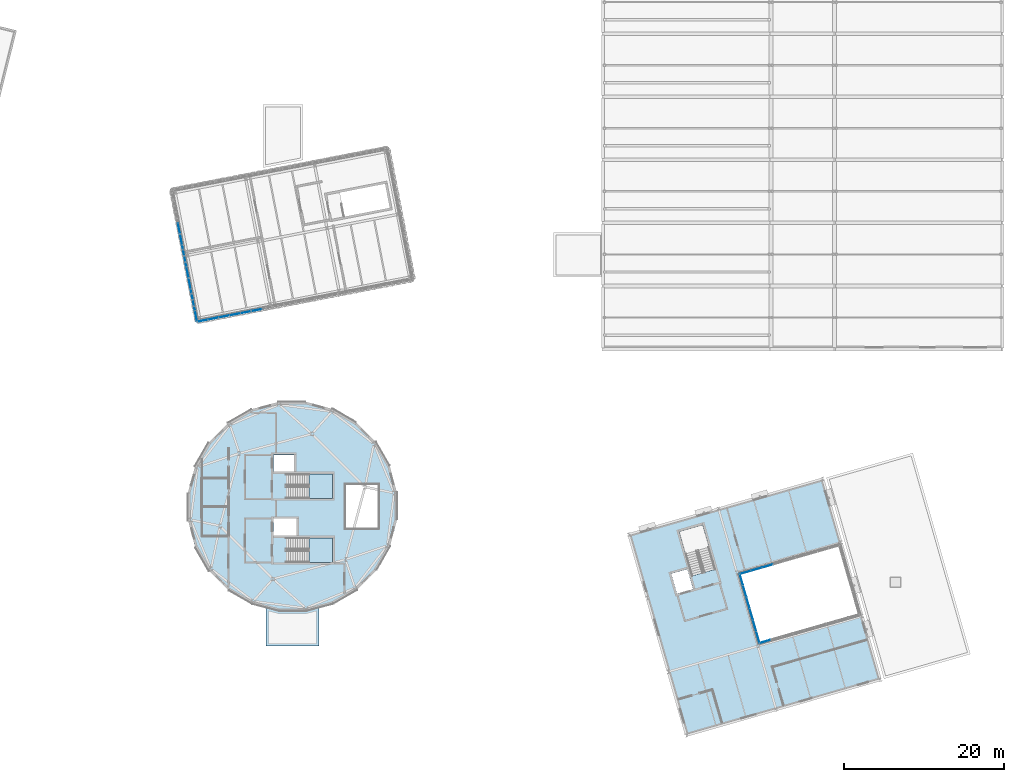
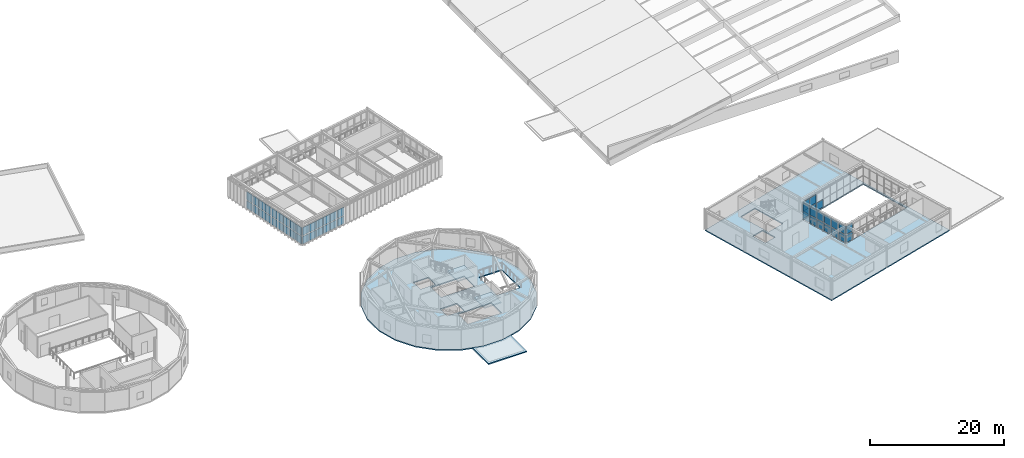
# One storey, part 21 of 44: 49 plates, 5 slabs, 10 elements without a shape of their own.
"""IFC4 building model written with IfcOpenShell, lengths in metres."""

from ifc_helpers import new_model, si_unit, direction, frame, origin, origin_2d, place, context, subcontext, project, spatial, polyline, rectangle, outline, extrude, material, layer, layer_set, type_object, element, aggregate, save


model = new_model("IFC4")

# Units and contexts
model_context = context("Model", 3, precision=1e-05, world=origin(), true_north=direction((0.0, 1.0)))
body_context = subcontext(model_context, "Body", "Model", "MODEL_VIEW")
ifc_project = project(units=[si_unit("LENGTHUNIT", "METRE"), si_unit("AREAUNIT", "SQUARE_METRE"), si_unit("VOLUMEUNIT", "CUBIC_METRE"), si_unit("PLANEANGLEUNIT", "RADIAN"), si_unit("MASSUNIT", "GRAM", prefix="KILO")], contexts=[model_context])

# Site, building, storey
site_placement = place(None, origin())
site = spatial("IfcSite", under=ifc_project, at=site_placement, CompositionType="ELEMENT")
building_placement = place(site_placement, origin())
building = spatial("IfcBuilding", under=site, at=building_placement, Name="Varnklinge Art Gallery", CompositionType="ELEMENT")
storey_placement = place(building_placement, frame((0.0, 0.0, 13.679931640625)))
storey = spatial("IfcBuildingStorey", under=building, at=storey_placement, Name="L03", CompositionType="ELEMENT", Elevation=13.679931640625)

# Curtain wall, plates
ifc_material_1 = material(Name="Anodised Aluminium", Category="aluminium")
curtain_wall_type_1 = type_object("IfcCurtainWallType", Name="CW-C03", PredefinedType="USERDEFINED", material=ifc_material_1)
curtain_wall_1_placement = place(storey_placement, origin())
curtain_wall_1 = element("IfcCurtainWall", 1, at=curtain_wall_1_placement, inside=storey, type_object=curtain_wall_type_1, Name="L03 Curtain Wall CW-V6C-L03-1", ObjectType="UNITISED CURTAIN WALL", PredefinedType="USERDEFINED")
ifc_material_2 = material(Name="Insulated Low-E Triple Glazing", Category="glass")
ifc_layer_1 = layer(ifc_material_2, 0.031982421875)
ifc_layer_set_1 = layer_set([ifc_layer_1], Name="Insulated Low-E Triple Glazing")
plate_type_1 = type_object("IfcPlateType", Name="GLZ-32", PredefinedType="CURTAIN_PANEL", material=ifc_layer_set_1)
plate_1_placement = place(storey_placement, frame((134.700927734375, 21.5859375, 0.1181640625), z_axis=(0.0, 0.0, 1.0), x_axis=(-0.961261695938, -0.275637355817, 0.0)))
plate_1 = element("IfcPlate", 2, at=plate_1_placement, type_object=plate_type_1, Name="CW-V6C-L03-1 Glazing Panel 9.1", PredefinedType="CURTAIN_PANEL", context=body_context, shape_type="SweptSolid", body=[
    extrude(rectangle(XDim=1.3583984375, YDim=0.031982421875, at=origin_2d()), origin(), (0.0, 0.0, 1.0), 1.3935546875),
])
plate_2_placement = place(storey_placement, frame((134.700927734375, 21.5859375, 1.627685546875), z_axis=(0.0, 0.0, 1.0), x_axis=(-0.961261695938, -0.275637355817, 0.0)))
plate_2 = element("IfcPlate", 3, at=plate_2_placement, type_object=plate_type_1, Name="CW-V6C-L03-1 Glazing Panel 9.2", PredefinedType="CURTAIN_PANEL", context=body_context, shape_type="SweptSolid", body=[
    extrude(rectangle(XDim=1.3583984375, YDim=0.031982421875, at=origin_2d()), origin(), (0.0, 0.0, 1.0), 1.5244140625),
])
aggregate(curtain_wall_1, [plate_1, plate_2])

curtain_wall_2_placement = place(storey_placement, origin())
curtain_wall_2 = element("IfcCurtainWall", 4, at=curtain_wall_2_placement, inside=storey, type_object=curtain_wall_type_1, Name="L03 Curtain Wall CW-V6C-L03-3", ObjectType="UNITISED CURTAIN WALL", PredefinedType="USERDEFINED")
plate_3_placement = place(storey_placement, frame((132.22021484375, 30.2373046875, 0.1181640625), z_axis=(0.0, 0.0, 1.0), x_axis=(0.961261695938, 0.275637355817, 0.0)))
plate_3 = element("IfcPlate", 5, at=plate_3_placement, type_object=plate_type_1, Name="CW-V6C-L03-3 Glazing Panel 1.1", PredefinedType="CURTAIN_PANEL", context=body_context, shape_type="SweptSolid", body=[
    extrude(rectangle(XDim=1.3583984375, YDim=0.031982421875, at=origin_2d()), origin(), (0.0, 0.0, 1.0), 1.3935546875),
])
plate_4_placement = place(storey_placement, frame((132.22021484375, 30.2373046875, 1.627685546875), z_axis=(0.0, 0.0, 1.0), x_axis=(0.961261695938, 0.275637355817, 0.0)))
plate_4 = element("IfcPlate", 6, at=plate_4_placement, type_object=plate_type_1, Name="CW-V6C-L03-3 Glazing Panel 1.2", PredefinedType="CURTAIN_PANEL", context=body_context, shape_type="SweptSolid", body=[
    extrude(rectangle(XDim=1.3583984375, YDim=0.031982421875, at=origin_2d()), origin(), (0.0, 0.0, 1.0), 1.5244140625),
])
plate_5_placement = place(storey_placement, frame((133.593994140625, 30.631103515625, 0.1181640625), z_axis=(0.0, 0.0, 1.0), x_axis=(0.961261695938, 0.275637355817, 0.0)))
plate_5 = element("IfcPlate", 7, at=plate_5_placement, type_object=plate_type_1, Name="CW-V6C-L03-3 Glazing Panel 2.1", PredefinedType="CURTAIN_PANEL", context=body_context, shape_type="SweptSolid", body=[
    extrude(rectangle(XDim=1.388427734375, YDim=0.031982421875, at=origin_2d()), origin(), (0.0, 0.0, 1.0), 1.3935546875),
])
plate_6_placement = place(storey_placement, frame((133.593994140625, 30.631103515625, 1.627685546875), z_axis=(0.0, 0.0, 1.0), x_axis=(0.961261695938, 0.275637355817, 0.0)))
plate_6 = element("IfcPlate", 8, at=plate_6_placement, type_object=plate_type_1, Name="CW-V6C-L03-3 Glazing Panel 2.2", PredefinedType="CURTAIN_PANEL", context=body_context, shape_type="SweptSolid", body=[
    extrude(rectangle(XDim=1.388427734375, YDim=0.031982421875, at=origin_2d()), origin(), (0.0, 0.0, 1.0), 1.5244140625),
])
plate_7_placement = place(storey_placement, frame((134.982666015625, 31.029296875, 0.1181640625), z_axis=(0.0, 0.0, 1.0), x_axis=(0.961261695938, 0.275637355817, 0.0)))
plate_7 = element("IfcPlate", 9, at=plate_7_placement, type_object=plate_type_1, Name="CW-V6C-L03-3 Glazing Panel 3.1", PredefinedType="CURTAIN_PANEL", context=body_context, shape_type="SweptSolid", body=[
    extrude(rectangle(XDim=1.388427734375, YDim=0.031982421875, at=origin_2d()), origin(), (0.0, 0.0, 1.0), 1.3935546875),
])
aggregate(curtain_wall_2, [plate_3, plate_4, plate_5, plate_6, plate_7])

curtain_wall_3_placement = place(storey_placement, origin())
curtain_wall_3 = element("IfcCurtainWall", 10, at=curtain_wall_3_placement, inside=storey, type_object=curtain_wall_type_1, Name="L03 Curtain Wall CW-V6C-L03-4", ObjectType="UNITISED CURTAIN WALL", PredefinedType="USERDEFINED")
plate_8_placement = place(storey_placement, frame((133.78125, 22.1181640625, 0.1181640625), z_axis=(0.0, 0.0, 1.0), x_axis=(-0.275637355817, 0.961261695938, 0.0)))
plate_8 = element("IfcPlate", 11, at=plate_8_placement, type_object=plate_type_1, Name="CW-V6C-L03-4 Glazing Panel 1.1", PredefinedType="CURTAIN_PANEL", context=body_context, shape_type="SweptSolid", body=[
    extrude(rectangle(XDim=1.4140625, YDim=0.031982421875, at=origin_2d()), origin(), (0.0, 0.0, 1.0), 1.3935546875),
])
plate_9_placement = place(storey_placement, frame((133.78125, 22.1181640625, 1.627685546875), z_axis=(0.0, 0.0, 1.0), x_axis=(-0.275637355817, 0.961261695938, 0.0)))
plate_9 = element("IfcPlate", 12, at=plate_9_placement, type_object=plate_type_1, Name="CW-V6C-L03-4 Glazing Panel 1.2", PredefinedType="CURTAIN_PANEL", context=body_context, shape_type="SweptSolid", body=[
    extrude(rectangle(XDim=1.4140625, YDim=0.031982421875, at=origin_2d()), origin(), (0.0, 0.0, 1.0), 1.5244140625),
])
plate_10_placement = place(storey_placement, frame((133.3720703125, 23.54541015625, 0.1181640625), z_axis=(0.0, 0.0, 1.0), x_axis=(-0.275637355817, 0.961261695938, 0.0)))
plate_10 = element("IfcPlate", 13, at=plate_10_placement, type_object=plate_type_1, Name="CW-V6C-L03-4 Glazing Panel 2.1", PredefinedType="CURTAIN_PANEL", context=body_context, shape_type="SweptSolid", body=[
    extrude(rectangle(XDim=1.444091796875, YDim=0.031982421875, at=origin_2d()), origin(), (0.0, 0.0, 1.0), 1.3935546875),
])
plate_11_placement = place(storey_placement, frame((133.3720703125, 23.54541015625, 1.627685546875), z_axis=(0.0, 0.0, 1.0), x_axis=(-0.275637355817, 0.961261695938, 0.0)))
plate_11 = element("IfcPlate", 14, at=plate_11_placement, type_object=plate_type_1, Name="CW-V6C-L03-4 Glazing Panel 2.2", PredefinedType="CURTAIN_PANEL", context=body_context, shape_type="SweptSolid", body=[
    extrude(rectangle(XDim=1.444091796875, YDim=0.031982421875, at=origin_2d()), origin(), (0.0, 0.0, 1.0), 1.5244140625),
])
plate_12_placement = place(storey_placement, frame((132.95849609375, 24.9873046875, 0.1181640625), z_axis=(0.0, 0.0, 1.0), x_axis=(-0.275637355817, 0.961261695938, 0.0)))
plate_12 = element("IfcPlate", 15, at=plate_12_placement, type_object=plate_type_1, Name="CW-V6C-L03-4 Glazing Panel 3.1", PredefinedType="CURTAIN_PANEL", context=body_context, shape_type="SweptSolid", body=[
    extrude(rectangle(XDim=1.444091796875, YDim=0.031982421875, at=origin_2d()), origin(), (0.0, 0.0, 1.0), 1.3935546875),
])
plate_13_placement = place(storey_placement, frame((132.95849609375, 24.9873046875, 1.627685546875), z_axis=(0.0, 0.0, 1.0), x_axis=(-0.275637355817, 0.961261695938, 0.0)))
plate_13 = element("IfcPlate", 16, at=plate_13_placement, type_object=plate_type_1, Name="CW-V6C-L03-4 Glazing Panel 3.2", PredefinedType="CURTAIN_PANEL", context=body_context, shape_type="SweptSolid", body=[
    extrude(rectangle(XDim=1.444091796875, YDim=0.031982421875, at=origin_2d()), origin(), (0.0, 0.0, 1.0), 1.5244140625),
])
plate_14_placement = place(storey_placement, frame((132.545166015625, 26.42919921875, 0.1181640625), z_axis=(0.0, 0.0, 1.0), x_axis=(-0.275637355817, 0.961261695938, 0.0)))
plate_14 = element("IfcPlate", 17, at=plate_14_placement, type_object=plate_type_1, Name="CW-V6C-L03-4 Glazing Panel 4.1", PredefinedType="CURTAIN_PANEL", context=body_context, shape_type="SweptSolid", body=[
    extrude(rectangle(XDim=1.444091796875, YDim=0.031982421875, at=origin_2d()), origin(), (0.0, 0.0, 1.0), 1.3935546875),
])
plate_15_placement = place(storey_placement, frame((132.545166015625, 26.42919921875, 1.627685546875), z_axis=(0.0, 0.0, 1.0), x_axis=(-0.275637355817, 0.961261695938, 0.0)))
plate_15 = element("IfcPlate", 18, at=plate_15_placement, type_object=plate_type_1, Name="CW-V6C-L03-4 Glazing Panel 4.2", PredefinedType="CURTAIN_PANEL", context=body_context, shape_type="SweptSolid", body=[
    extrude(rectangle(XDim=1.444091796875, YDim=0.031982421875, at=origin_2d()), origin(), (0.0, 0.0, 1.0), 1.5244140625),
])
plate_16_placement = place(storey_placement, frame((132.131591796875, 27.87109375, 0.1181640625), z_axis=(0.0, 0.0, 1.0), x_axis=(-0.275637355817, 0.961261695938, 0.0)))
plate_16 = element("IfcPlate", 19, at=plate_16_placement, type_object=plate_type_1, Name="CW-V6C-L03-4 Glazing Panel 5.1", PredefinedType="CURTAIN_PANEL", context=body_context, shape_type="SweptSolid", body=[
    extrude(rectangle(XDim=1.444091796875, YDim=0.031982421875, at=origin_2d()), origin(), (0.0, 0.0, 1.0), 1.3935546875),
])
plate_17_placement = place(storey_placement, frame((132.131591796875, 27.87109375, 1.627685546875), z_axis=(0.0, 0.0, 1.0), x_axis=(-0.275637355817, 0.961261695938, 0.0)))
plate_17 = element("IfcPlate", 20, at=plate_17_placement, type_object=plate_type_1, Name="CW-V6C-L03-4 Glazing Panel 5.2", PredefinedType="CURTAIN_PANEL", context=body_context, shape_type="SweptSolid", body=[
    extrude(rectangle(XDim=1.444091796875, YDim=0.031982421875, at=origin_2d()), origin(), (0.0, 0.0, 1.0), 1.5244140625),
])
plate_18_placement = place(storey_placement, frame((131.722412109375, 29.298583984375, 0.1181640625), z_axis=(0.0, 0.0, 1.0), x_axis=(-0.275637355817, 0.961261695938, 0.0)))
plate_18 = element("IfcPlate", 21, at=plate_18_placement, type_object=plate_type_1, Name="CW-V6C-L03-4 Glazing Panel 6.1", PredefinedType="CURTAIN_PANEL", context=body_context, shape_type="SweptSolid", body=[
    extrude(rectangle(XDim=1.4140625, YDim=0.031982421875, at=origin_2d()), origin(), (0.0, 0.0, 1.0), 1.3935546875),
])
plate_19_placement = place(storey_placement, frame((131.722412109375, 29.298583984375, 1.627685546875), z_axis=(0.0, 0.0, 1.0), x_axis=(-0.275637355817, 0.961261695938, 0.0)))
plate_19 = element("IfcPlate", 22, at=plate_19_placement, type_object=plate_type_1, Name="CW-V6C-L03-4 Glazing Panel 6.2", PredefinedType="CURTAIN_PANEL", context=body_context, shape_type="SweptSolid", body=[
    extrude(rectangle(XDim=1.4140625, YDim=0.031982421875, at=origin_2d()), origin(), (0.0, 0.0, 1.0), 1.5244140625),
])
aggregate(curtain_wall_3, [plate_8, plate_9, plate_10, plate_11, plate_12, plate_13, plate_14, plate_15, plate_16, plate_17, plate_18, plate_19])

ifc_material_3 = material(Name="Anodised Aluminium", Category="aluminium")
curtain_wall_type_2 = type_object("IfcCurtainWallType", Name="CW-L04", PredefinedType="USERDEFINED", material=ifc_material_3)
curtain_wall_4_placement = place(storey_placement, origin())
curtain_wall_4 = element("IfcCurtainWall", 23, at=curtain_wall_4_placement, inside=storey, type_object=curtain_wall_type_2, Name="L03 Curtain Wall CW-V4B-L03-1-1-1", ObjectType="UNITISED CURTAIN WALL", PredefinedType="USERDEFINED")
ifc_material_4 = material(Name="Insulated Low-E Triple Glazing", Category="glass")
ifc_layer_2 = layer(ifc_material_4, 0.0439453125)
ifc_layer_set_2 = layer_set([ifc_layer_2], Name="Insulated Low-E Triple Glazing")
plate_type_2 = type_object("IfcPlateType", Name="GLZ-44", PredefinedType="CURTAIN_PANEL", material=ifc_layer_set_2)
plate_20_placement = place(storey_placement, frame((64.251953125, 61.75634765625, 0.14794921875), z_axis=(0.0, 0.0, 1.0), x_axis=(0.981627183448, 0.190808995377, 0.0)))
plate_20 = element("IfcPlate", 24, at=plate_20_placement, type_object=plate_type_2, Name="CW-V4B-L03-1-1-1 Glazing Panel 1.1", PredefinedType="CURTAIN_PANEL", context=body_context, shape_type="SweptSolid", body=[
    extrude(rectangle(XDim=1.271484375, YDim=0.0439453125, at=origin_2d()), origin(), (0.0, 0.0, 1.0), 1.367919921875),
])
plate_21_placement = place(storey_placement, frame((64.251953125, 61.75634765625, 1.66162109375), z_axis=(0.0, 0.0, 1.0), x_axis=(0.981627183448, 0.190808995377, 0.0)))
plate_21 = element("IfcPlate", 25, at=plate_21_placement, type_object=plate_type_2, Name="CW-V4B-L03-1-1-1 Glazing Panel 1.2", PredefinedType="CURTAIN_PANEL", context=body_context, shape_type="SweptSolid", body=[
    extrude(rectangle(XDim=1.271484375, YDim=0.0439453125, at=origin_2d()), origin(), (0.0, 0.0, 1.0), 1.500244140625),
])
plate_22_placement = place(storey_placement, frame((65.58837890625, 62.01611328125, 0.14794921875), z_axis=(0.0, 0.0, 1.0), x_axis=(0.981627183448, 0.190808995377, 0.0)))
plate_22 = element("IfcPlate", 26, at=plate_22_placement, type_object=plate_type_2, Name="CW-V4B-L03-1-1-1 Glazing Panel 2.1", PredefinedType="CURTAIN_PANEL", context=body_context, shape_type="SweptSolid", body=[
    extrude(rectangle(XDim=1.30908203125, YDim=0.0439453125, at=origin_2d()), origin(), (0.0, 0.0, 1.0), 1.367919921875),
])
plate_23_placement = place(storey_placement, frame((65.58837890625, 62.01611328125, 1.66162109375), z_axis=(0.0, 0.0, 1.0), x_axis=(0.981627183448, 0.190808995377, 0.0)))
plate_23 = element("IfcPlate", 27, at=plate_23_placement, type_object=plate_type_2, Name="CW-V4B-L03-1-1-1 Glazing Panel 2.2", PredefinedType="CURTAIN_PANEL", context=body_context, shape_type="SweptSolid", body=[
    extrude(rectangle(XDim=1.30908203125, YDim=0.0439453125, at=origin_2d()), origin(), (0.0, 0.0, 1.0), 1.500244140625),
])
plate_24_placement = place(storey_placement, frame((66.94287109375, 62.279541015625, 0.14794921875), z_axis=(0.0, 0.0, 1.0), x_axis=(0.981627183448, 0.190808995377, 0.0)))
plate_24 = element("IfcPlate", 28, at=plate_24_placement, type_object=plate_type_2, Name="CW-V4B-L03-1-1-1 Glazing Panel 3.1", PredefinedType="CURTAIN_PANEL", context=body_context, shape_type="SweptSolid", body=[
    extrude(rectangle(XDim=1.30908203125, YDim=0.0439453125, at=origin_2d()), origin(), (0.0, 0.0, 1.0), 1.367919921875),
])
plate_25_placement = place(storey_placement, frame((66.94287109375, 62.279541015625, 1.66162109375), z_axis=(0.0, 0.0, 1.0), x_axis=(0.981627183448, 0.190808995377, 0.0)))
plate_25 = element("IfcPlate", 29, at=plate_25_placement, type_object=plate_type_2, Name="CW-V4B-L03-1-1-1 Glazing Panel 3.2", PredefinedType="CURTAIN_PANEL", context=body_context, shape_type="SweptSolid", body=[
    extrude(rectangle(XDim=1.30908203125, YDim=0.0439453125, at=origin_2d()), origin(), (0.0, 0.0, 1.0), 1.500244140625),
])
plate_26_placement = place(storey_placement, frame((68.297607421875, 62.542724609375, 0.14794921875), z_axis=(0.0, 0.0, 1.0), x_axis=(0.981627183448, 0.190808995377, 0.0)))
plate_26 = element("IfcPlate", 30, at=plate_26_placement, type_object=plate_type_2, Name="CW-V4B-L03-1-1-1 Glazing Panel 4.1", PredefinedType="CURTAIN_PANEL", context=body_context, shape_type="SweptSolid", body=[
    extrude(rectangle(XDim=1.30908203125, YDim=0.0439453125, at=origin_2d()), origin(), (0.0, 0.0, 1.0), 1.367919921875),
])
plate_27_placement = place(storey_placement, frame((68.297607421875, 62.542724609375, 1.66162109375), z_axis=(0.0, 0.0, 1.0), x_axis=(0.981627183448, 0.190808995377, 0.0)))
plate_27 = element("IfcPlate", 31, at=plate_27_placement, type_object=plate_type_2, Name="CW-V4B-L03-1-1-1 Glazing Panel 4.2", PredefinedType="CURTAIN_PANEL", context=body_context, shape_type="SweptSolid", body=[
    extrude(rectangle(XDim=1.30908203125, YDim=0.0439453125, at=origin_2d()), origin(), (0.0, 0.0, 1.0), 1.500244140625),
])
plate_28_placement = place(storey_placement, frame((69.6337890625, 62.802490234375, 0.14794921875), z_axis=(0.0, 0.0, 1.0), x_axis=(0.981627183448, 0.190808995377, 0.0)))
plate_28 = element("IfcPlate", 32, at=plate_28_placement, type_object=plate_type_2, Name="CW-V4B-L03-1-1-1 Glazing Panel 5.1", PredefinedType="CURTAIN_PANEL", context=body_context, shape_type="SweptSolid", body=[
    extrude(rectangle(XDim=1.271484375, YDim=0.0439453125, at=origin_2d()), origin(), (0.0, 0.0, 1.0), 1.367919921875),
])
plate_29_placement = place(storey_placement, frame((69.6337890625, 62.802490234375, 1.66162109375), z_axis=(0.0, 0.0, 1.0), x_axis=(0.981627183448, 0.190808995377, 0.0)))
plate_29 = element("IfcPlate", 33, at=plate_29_placement, type_object=plate_type_2, Name="CW-V4B-L03-1-1-1 Glazing Panel 5.2", PredefinedType="CURTAIN_PANEL", context=body_context, shape_type="SweptSolid", body=[
    extrude(rectangle(XDim=1.271484375, YDim=0.0439453125, at=origin_2d()), origin(), (0.0, 0.0, 1.0), 1.500244140625),
])
aggregate(curtain_wall_4, [plate_20, plate_21, plate_22, plate_23, plate_24, plate_25, plate_26, plate_27, plate_28, plate_29])

curtain_wall_5_placement = place(storey_placement, origin())
curtain_wall_5 = element("IfcCurtainWall", 34, at=curtain_wall_5_placement, inside=storey, type_object=curtain_wall_type_2, Name="L03 Curtain Wall CW-V4B-L03-1-1-2", ObjectType="UNITISED CURTAIN WALL", PredefinedType="USERDEFINED")
plate_30_placement = place(storey_placement, frame((71.025146484375, 63.072998046875, 0.14794921875), z_axis=(0.0, 0.0, 1.0), x_axis=(0.981627183448, 0.190808995377, 0.0)))
plate_30 = element("IfcPlate", 35, at=plate_30_placement, type_object=plate_type_2, Name="CW-V4B-L03-1-1-2 Glazing Panel 1.1", PredefinedType="CURTAIN_PANEL", context=body_context, shape_type="SweptSolid", body=[
    extrude(rectangle(XDim=1.271484375, YDim=0.0439453125, at=origin_2d()), origin(), (0.0, 0.0, 1.0), 1.367919921875),
])
plate_31_placement = place(storey_placement, frame((71.025146484375, 63.072998046875, 1.66162109375), z_axis=(0.0, 0.0, 1.0), x_axis=(0.981627183448, 0.190808995377, 0.0)))
plate_31 = element("IfcPlate", 36, at=plate_31_placement, type_object=plate_type_2, Name="CW-V4B-L03-1-1-2 Glazing Panel 1.2", PredefinedType="CURTAIN_PANEL", context=body_context, shape_type="SweptSolid", body=[
    extrude(rectangle(XDim=1.271484375, YDim=0.0439453125, at=origin_2d()), origin(), (0.0, 0.0, 1.0), 1.500244140625),
])
aggregate(curtain_wall_5, [plate_30, plate_31])

ifc_material_5 = material(Name="Anodised Aluminium", Category="aluminium")
curtain_wall_type_3 = type_object("IfcCurtainWallType", Name="CW-L08", PredefinedType="USERDEFINED", material=ifc_material_5)
curtain_wall_6_placement = place(storey_placement, origin())
curtain_wall_6 = element("IfcCurtainWall", 37, at=curtain_wall_6_placement, inside=storey, type_object=curtain_wall_type_3, Name="L03 Curtain Wall CW-V4B-L03-4-1-1", ObjectType="UNITISED CURTAIN WALL", PredefinedType="USERDEFINED")
plate_32_placement = place(storey_placement, frame((61.281982421875, 73.32080078125, 0.14794921875), z_axis=(0.0, 0.0, 1.0), x_axis=(0.190808995377, -0.981627183448, 0.0)))
plate_32 = element("IfcPlate", 38, at=plate_32_placement, type_object=plate_type_2, Name="CW-V4B-L03-4-1-1 Glazing Panel 4.1", PredefinedType="CURTAIN_PANEL", context=body_context, shape_type="SweptSolid", body=[
    extrude(rectangle(XDim=1.29150390625, YDim=0.0439453125, at=origin_2d()), origin(), (0.0, 0.0, 1.0), 1.367919921875),
])
plate_33_placement = place(storey_placement, frame((61.281982421875, 73.32080078125, 1.66162109375), z_axis=(0.0, 0.0, 1.0), x_axis=(0.190808995377, -0.981627183448, 0.0)))
plate_33 = element("IfcPlate", 39, at=plate_33_placement, type_object=plate_type_2, Name="CW-V4B-L03-4-1-1 Glazing Panel 4.2", PredefinedType="CURTAIN_PANEL", context=body_context, shape_type="SweptSolid", body=[
    extrude(rectangle(XDim=1.29150390625, YDim=0.0439453125, at=origin_2d()), origin(), (0.0, 0.0, 1.0), 1.500244140625),
])
aggregate(curtain_wall_6, [plate_32, plate_33])

curtain_wall_7_placement = place(storey_placement, origin())
curtain_wall_7 = element("IfcCurtainWall", 40, at=curtain_wall_7_placement, inside=storey, type_object=curtain_wall_type_3, Name="L03 Curtain Wall CW-V4B-L03-4-1-2", ObjectType="UNITISED CURTAIN WALL", PredefinedType="USERDEFINED")
plate_34_placement = place(storey_placement, frame((61.556396484375, 71.909912109375, 0.14794921875), z_axis=(0.0, 0.0, 1.0), x_axis=(0.190808995377, -0.981627183448, 0.0)))
plate_34 = element("IfcPlate", 41, at=plate_34_placement, type_object=plate_type_2, Name="CW-V4B-L03-4-1-2 Glazing Panel 1.1", PredefinedType="CURTAIN_PANEL", context=body_context, shape_type="SweptSolid", body=[
    extrude(rectangle(XDim=1.29150390625, YDim=0.0439453125, at=origin_2d()), origin(), (0.0, 0.0, 1.0), 1.367919921875),
])
plate_35_placement = place(storey_placement, frame((61.556396484375, 71.909912109375, 1.66162109375), z_axis=(0.0, 0.0, 1.0), x_axis=(0.190808995377, -0.981627183448, 0.0)))
plate_35 = element("IfcPlate", 42, at=plate_35_placement, type_object=plate_type_2, Name="CW-V4B-L03-4-1-2 Glazing Panel 1.2", PredefinedType="CURTAIN_PANEL", context=body_context, shape_type="SweptSolid", body=[
    extrude(rectangle(XDim=1.29150390625, YDim=0.0439453125, at=origin_2d()), origin(), (0.0, 0.0, 1.0), 1.500244140625),
])
plate_36_placement = place(storey_placement, frame((61.81982421875, 70.553955078125, 0.14794921875), z_axis=(0.0, 0.0, 1.0), x_axis=(0.190808995377, -0.981627183448, 0.0)))
plate_36 = element("IfcPlate", 43, at=plate_36_placement, type_object=plate_type_2, Name="CW-V4B-L03-4-1-2 Glazing Panel 2.1", PredefinedType="CURTAIN_PANEL", context=body_context, shape_type="SweptSolid", body=[
    extrude(rectangle(XDim=1.3291015625, YDim=0.0439453125, at=origin_2d()), origin(), (0.0, 0.0, 1.0), 1.367919921875),
])
plate_37_placement = place(storey_placement, frame((61.81982421875, 70.553955078125, 1.66162109375), z_axis=(0.0, 0.0, 1.0), x_axis=(0.190808995377, -0.981627183448, 0.0)))
plate_37 = element("IfcPlate", 44, at=plate_37_placement, type_object=plate_type_2, Name="CW-V4B-L03-4-1-2 Glazing Panel 2.2", PredefinedType="CURTAIN_PANEL", context=body_context, shape_type="SweptSolid", body=[
    extrude(rectangle(XDim=1.3291015625, YDim=0.0439453125, at=origin_2d()), origin(), (0.0, 0.0, 1.0), 1.500244140625),
])
plate_38_placement = place(storey_placement, frame((62.087158203125, 69.1796875, 0.14794921875), z_axis=(0.0, 0.0, 1.0), x_axis=(0.190808995377, -0.981627183448, 0.0)))
plate_38 = element("IfcPlate", 45, at=plate_38_placement, type_object=plate_type_2, Name="CW-V4B-L03-4-1-2 Glazing Panel 3.1", PredefinedType="CURTAIN_PANEL", context=body_context, shape_type="SweptSolid", body=[
    extrude(rectangle(XDim=1.3291015625, YDim=0.0439453125, at=origin_2d()), origin(), (0.0, 0.0, 1.0), 1.367919921875),
])
plate_39_placement = place(storey_placement, frame((62.087158203125, 69.1796875, 1.66162109375), z_axis=(0.0, 0.0, 1.0), x_axis=(0.190808995377, -0.981627183448, 0.0)))
plate_39 = element("IfcPlate", 46, at=plate_39_placement, type_object=plate_type_2, Name="CW-V4B-L03-4-1-2 Glazing Panel 3.2", PredefinedType="CURTAIN_PANEL", context=body_context, shape_type="SweptSolid", body=[
    extrude(rectangle(XDim=1.3291015625, YDim=0.0439453125, at=origin_2d()), origin(), (0.0, 0.0, 1.0), 1.500244140625),
])
plate_40_placement = place(storey_placement, frame((62.3505859375, 67.82373046875, 0.14794921875), z_axis=(0.0, 0.0, 1.0), x_axis=(0.190808995377, -0.981627183448, 0.0)))
plate_40 = element("IfcPlate", 47, at=plate_40_placement, type_object=plate_type_2, Name="CW-V4B-L03-4-1-2 Glazing Panel 4.1", PredefinedType="CURTAIN_PANEL", context=body_context, shape_type="SweptSolid", body=[
    extrude(rectangle(XDim=1.29150390625, YDim=0.0439453125, at=origin_2d()), origin(), (0.0, 0.0, 1.0), 1.367919921875),
])
plate_41_placement = place(storey_placement, frame((62.3505859375, 67.82373046875, 1.66162109375), z_axis=(0.0, 0.0, 1.0), x_axis=(0.190808995377, -0.981627183448, 0.0)))
plate_41 = element("IfcPlate", 48, at=plate_41_placement, type_object=plate_type_2, Name="CW-V4B-L03-4-1-2 Glazing Panel 4.2", PredefinedType="CURTAIN_PANEL", context=body_context, shape_type="SweptSolid", body=[
    extrude(rectangle(XDim=1.29150390625, YDim=0.0439453125, at=origin_2d()), origin(), (0.0, 0.0, 1.0), 1.500244140625),
])
aggregate(curtain_wall_7, [plate_34, plate_35, plate_36, plate_37, plate_38, plate_39, plate_40, plate_41])

curtain_wall_8_placement = place(storey_placement, origin())
curtain_wall_8 = element("IfcCurtainWall", 49, at=curtain_wall_8_placement, inside=storey, type_object=curtain_wall_type_3, Name="L03 Curtain Wall CW-V4B-L03-4-1-3", ObjectType="UNITISED CURTAIN WALL", PredefinedType="USERDEFINED")
plate_42_placement = place(storey_placement, frame((62.625, 66.412841796875, 0.14794921875), z_axis=(0.0, 0.0, 1.0), x_axis=(0.190808995377, -0.981627183448, 0.0)))
plate_42 = element("IfcPlate", 50, at=plate_42_placement, type_object=plate_type_2, Name="CW-V4B-L03-4-1-3 Glazing Panel 1.1", PredefinedType="CURTAIN_PANEL", context=body_context, shape_type="SweptSolid", body=[
    extrude(rectangle(XDim=1.29150390625, YDim=0.0439453125, at=origin_2d()), origin(), (0.0, 0.0, 1.0), 1.367919921875),
])
plate_43_placement = place(storey_placement, frame((62.625, 66.412841796875, 1.66162109375), z_axis=(0.0, 0.0, 1.0), x_axis=(0.190808995377, -0.981627183448, 0.0)))
plate_43 = element("IfcPlate", 51, at=plate_43_placement, type_object=plate_type_2, Name="CW-V4B-L03-4-1-3 Glazing Panel 1.2", PredefinedType="CURTAIN_PANEL", context=body_context, shape_type="SweptSolid", body=[
    extrude(rectangle(XDim=1.29150390625, YDim=0.0439453125, at=origin_2d()), origin(), (0.0, 0.0, 1.0), 1.500244140625),
])
plate_44_placement = place(storey_placement, frame((62.888427734375, 65.056884765625, 0.14794921875), z_axis=(0.0, 0.0, 1.0), x_axis=(0.190808995377, -0.981627183448, 0.0)))
plate_44 = element("IfcPlate", 52, at=plate_44_placement, type_object=plate_type_2, Name="CW-V4B-L03-4-1-3 Glazing Panel 2.1", PredefinedType="CURTAIN_PANEL", context=body_context, shape_type="SweptSolid", body=[
    extrude(rectangle(XDim=1.3291015625, YDim=0.0439453125, at=origin_2d()), origin(), (0.0, 0.0, 1.0), 1.367919921875),
])
plate_45_placement = place(storey_placement, frame((62.888427734375, 65.056884765625, 1.66162109375), z_axis=(0.0, 0.0, 1.0), x_axis=(0.190808995377, -0.981627183448, 0.0)))
plate_45 = element("IfcPlate", 53, at=plate_45_placement, type_object=plate_type_2, Name="CW-V4B-L03-4-1-3 Glazing Panel 2.2", PredefinedType="CURTAIN_PANEL", context=body_context, shape_type="SweptSolid", body=[
    extrude(rectangle(XDim=1.3291015625, YDim=0.0439453125, at=origin_2d()), origin(), (0.0, 0.0, 1.0), 1.500244140625),
])
plate_46_placement = place(storey_placement, frame((63.155517578125, 63.6826171875, 0.14794921875), z_axis=(0.0, 0.0, 1.0), x_axis=(0.190808995377, -0.981627183448, 0.0)))
plate_46 = element("IfcPlate", 54, at=plate_46_placement, type_object=plate_type_2, Name="CW-V4B-L03-4-1-3 Glazing Panel 3.1", PredefinedType="CURTAIN_PANEL", context=body_context, shape_type="SweptSolid", body=[
    extrude(rectangle(XDim=1.3291015625, YDim=0.0439453125, at=origin_2d()), origin(), (0.0, 0.0, 1.0), 1.367919921875),
])
plate_47_placement = place(storey_placement, frame((63.155517578125, 63.6826171875, 1.66162109375), z_axis=(0.0, 0.0, 1.0), x_axis=(0.190808995377, -0.981627183448, 0.0)))
plate_47 = element("IfcPlate", 55, at=plate_47_placement, type_object=plate_type_2, Name="CW-V4B-L03-4-1-3 Glazing Panel 3.2", PredefinedType="CURTAIN_PANEL", context=body_context, shape_type="SweptSolid", body=[
    extrude(rectangle(XDim=1.3291015625, YDim=0.0439453125, at=origin_2d()), origin(), (0.0, 0.0, 1.0), 1.500244140625),
])
plate_48_placement = place(storey_placement, frame((63.419189453125, 62.32666015625, 0.14794921875), z_axis=(0.0, 0.0, 1.0), x_axis=(0.190808995377, -0.981627183448, 0.0)))
plate_48 = element("IfcPlate", 56, at=plate_48_placement, type_object=plate_type_2, Name="CW-V4B-L03-4-1-3 Glazing Panel 4.1", PredefinedType="CURTAIN_PANEL", context=body_context, shape_type="SweptSolid", body=[
    extrude(rectangle(XDim=1.29150390625, YDim=0.0439453125, at=origin_2d()), origin(), (0.0, 0.0, 1.0), 1.367919921875),
])
plate_49_placement = place(storey_placement, frame((63.419189453125, 62.32666015625, 1.66162109375), z_axis=(0.0, 0.0, 1.0), x_axis=(0.190808995377, -0.981627183448, 0.0)))
plate_49 = element("IfcPlate", 57, at=plate_49_placement, type_object=plate_type_2, Name="CW-V4B-L03-4-1-3 Glazing Panel 4.2", PredefinedType="CURTAIN_PANEL", context=body_context, shape_type="SweptSolid", body=[
    extrude(rectangle(XDim=1.29150390625, YDim=0.0439453125, at=origin_2d()), origin(), (0.0, 0.0, 1.0), 1.500244140625),
])
aggregate(curtain_wall_8, [plate_42, plate_43, plate_44, plate_45, plate_46, plate_47, plate_48, plate_49])

# Slabs
ifc_material_6 = material(Name="Concrete C35/45", Category="concrete")
ifc_layer_3 = layer(ifc_material_6, 0.199951171875)
ifc_layer_set_3 = layer_set([ifc_layer_3], Name="Concrete C35/45")
slab_type_1 = type_object("IfcSlabType", Name="SLB-F20", PredefinedType="FLOOR", material=ifc_layer_set_3)
slab_1_placement = place(storey_placement, frame((0.0, 0.0, -0.199951171875)))
element("IfcSlab", 58, at=slab_1_placement, inside=storey, type_object=slab_type_1, Name="L03 Pavilion Drum Floor Slab", PredefinedType="FLOOR", context=body_context, shape_type="SweptSolid", body=[
    extrude(outline(polyline([(83.53564453125, 28.027587890625), (85.972412109375, 30.46435546875), (87.6953125, 33.448486328125), (88.587158203125, 36.777099609375), (88.587158203125, 40.222900390625), (87.6953125, 43.551513671875), (85.972412109375, 46.53564453125), (83.53564453125, 48.972412109375), (80.551513671875, 50.6953125), (77.222900390625, 51.587158203125), (73.777099609375, 51.587158203125), (70.448486328125, 50.6953125), (67.46435546875, 48.972412109375), (65.027587890625, 46.53564453125), (63.3046875, 43.551513671875), (62.412841796875, 40.222900390625), (62.412841796875, 36.777099609375), (63.3046875, 33.448486328125), (65.027587890625, 30.46435546875), (67.46435546875, 28.027587890625), (70.448486328125, 26.3046875), (73.777099609375, 25.412841796875), (77.222900390625, 25.412841796875), (80.551513671875, 26.3046875), (83.53564453125, 28.027587890625)]), holes=[polyline([(80.5, 31.5), (74.72509765625, 31.5), (74.72509765625, 34.56005859375), (80.5, 34.56005859375), (80.5, 31.5)]), polyline([(73.10009765625, 34.860107421875), (73.10009765625, 36.9599609375), (76.0, 36.9599609375), (76.0, 34.860107421875), (73.10009765625, 34.860107421875)]), polyline([(82.199951171875, 41.199951171875), (86.199951171875, 41.199951171875), (86.199951171875, 35.800048828125), (82.199951171875, 35.800048828125), (82.199951171875, 41.199951171875)]), polyline([(80.5, 39.5), (74.72509765625, 39.5), (74.72509765625, 42.56005859375), (80.5, 42.56005859375), (80.5, 39.5)]), polyline([(73.10009765625, 42.860107421875), (73.10009765625, 44.9599609375), (75.699951171875, 44.9599609375), (75.699951171875, 42.860107421875), (73.10009765625, 42.860107421875)])]), origin(), (0.0, 0.0, 1.0), 0.199951171875),
])
slab_2_placement = place(storey_placement, frame((0.0, 0.0, -0.199951171875)))
element("IfcSlab", 59, at=slab_2_placement, inside=storey, type_object=slab_type_1, Name="L03 Artists Studios Courtyard Wing Slab", PredefinedType="FLOOR", context=body_context, shape_type="SweptSolid", body=[
    extrude(outline(polyline([(141.92578125, 41.966796875), (117.605712890625, 34.9931640625), (124.827392578125, 9.80810546875), (149.1474609375, 16.78173828125), (141.92578125, 41.966796875)]), holes=[polyline([(133.9921875, 21.3828125), (131.511474609375, 30.033935546875), (144.0078125, 33.6171875), (146.488525390625, 24.966064453125), (133.9921875, 21.3828125)]), polyline([(122.9384765625, 30.064453125), (124.95703125, 30.643310546875), (125.673828125, 28.14404296875), (123.6552734375, 27.565185546875), (122.9384765625, 30.064453125)]), polyline([(126.864013671875, 36.18359375), (128.455810546875, 30.632080078125), (125.51416015625, 29.788818359375), (123.92236328125, 35.340087890625), (126.864013671875, 36.18359375)])]), origin(), (0.0, 0.0, 1.0), 0.199951171875),
])

# Stair, slab
ifc_material_7 = material(Name="Concrete C40/50", Category="concrete")
stair_type = type_object("IfcStairType", Name="STR-C3960", PredefinedType="HALF_TURN_STAIR", material=ifc_material_7)
stair_1_placement = place(storey_placement, origin())
stair_1 = element("IfcStair", 60, at=stair_1_placement, inside=storey, type_object=stair_type, Name="L03 Core C1 Stair ST-01", PredefinedType="HALF_TURN_STAIR")
ifc_material_8 = material(Name="Concrete C40/50", Category="concrete")
ifc_layer_4 = layer(ifc_material_8, 0.199951171875)
ifc_layer_set_4 = layer_set([ifc_layer_4], Name="Concrete C40/50")
slab_type_2 = type_object("IfcSlabType", Name="SLB-LND20", PredefinedType="LANDING", material=ifc_layer_set_4)
slab_3_placement = place(storey_placement, frame((0.0, 0.0, 1.780029296875)))
slab_3 = element("IfcSlab", 61, at=slab_3_placement, type_object=slab_type_2, Name="ST-01 landing 1", PredefinedType="LANDING", context=body_context, shape_type="SweptSolid", body=[
    extrude(outline(polyline([(77.570068359375, 31.5), (80.5, 31.5), (80.5, 34.56005859375), (77.570068359375, 34.56005859375), (77.570068359375, 31.5)])), origin(), (0.0, 0.0, 1.0), 0.199951171875),
])
aggregate(stair_1, [slab_3])

stair_2_placement = place(storey_placement, origin())
stair_2 = element("IfcStair", 62, at=stair_2_placement, inside=storey, type_object=stair_type, Name="L03 Core C2 Stair ST-02", PredefinedType="HALF_TURN_STAIR")
slab_4_placement = place(storey_placement, frame((0.0, 0.0, 1.780029296875)))
slab_4 = element("IfcSlab", 63, at=slab_4_placement, type_object=slab_type_2, Name="ST-02 landing 1", PredefinedType="LANDING", context=body_context, shape_type="SweptSolid", body=[
    extrude(outline(polyline([(77.570068359375, 39.5), (80.5, 39.5), (80.5, 42.56005859375), (77.570068359375, 42.56005859375), (77.570068359375, 39.5)])), origin(), (0.0, 0.0, 1.0), 0.199951171875),
])
aggregate(stair_2, [slab_4])

# Slab
ifc_material_9 = material(Name="Concrete C35/45", Category="concrete")
ifc_layer_5 = layer(ifc_material_9, 0.199951171875)
ifc_layer_set_5 = layer_set([ifc_layer_5], Name="Concrete C35/45")
slab_type_3 = type_object("IfcSlabType", Name="SLB-ROOF20", PredefinedType="ROOF", material=ifc_layer_set_5)
slab_5_placement = place(storey_placement, frame((0.0, 0.0, -0.199951171875)))
element("IfcSlab", 64, at=slab_5_placement, inside=storey, type_object=slab_type_3, Name="L03 LNK-V4S Link Roof Slab", PredefinedType="ROOF", context=body_context, shape_type="SweptSolid", body=[
    extrude(outline(polyline([(78.800048828125, 25.83544921875), (77.222900390625, 25.412841796875), (73.777099609375, 25.412841796875), (72.199951171875, 25.83544921875), (72.199951171875, 21.0), (78.800048828125, 21.0), (78.800048828125, 25.83544921875)])), origin(), (0.0, 0.0, 1.0), 0.199951171875),
])

save(model, "model.ifc")
